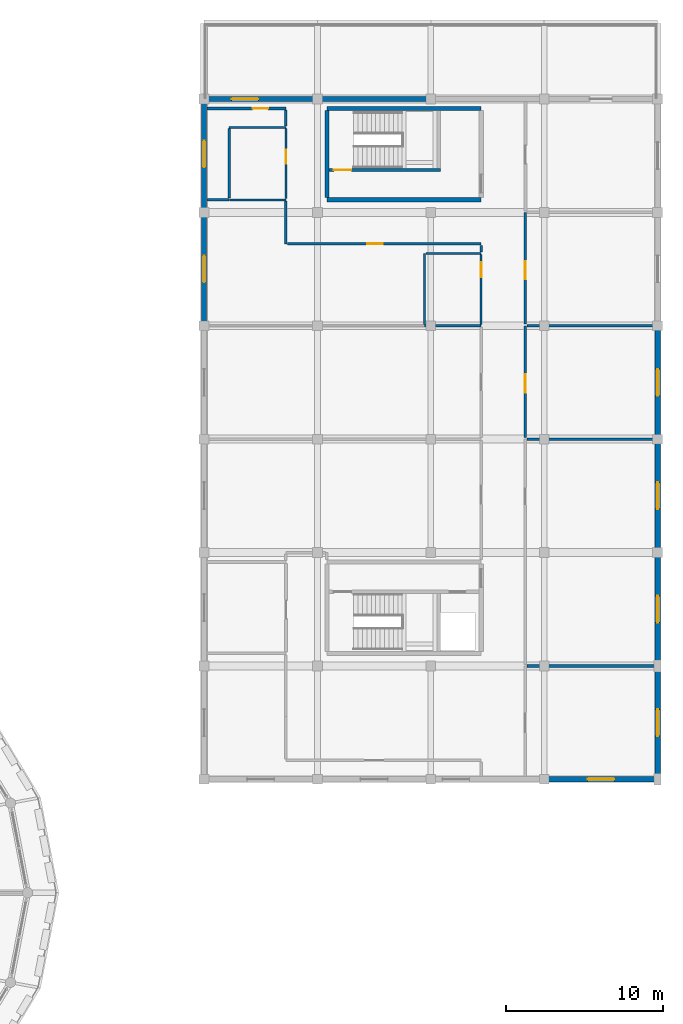
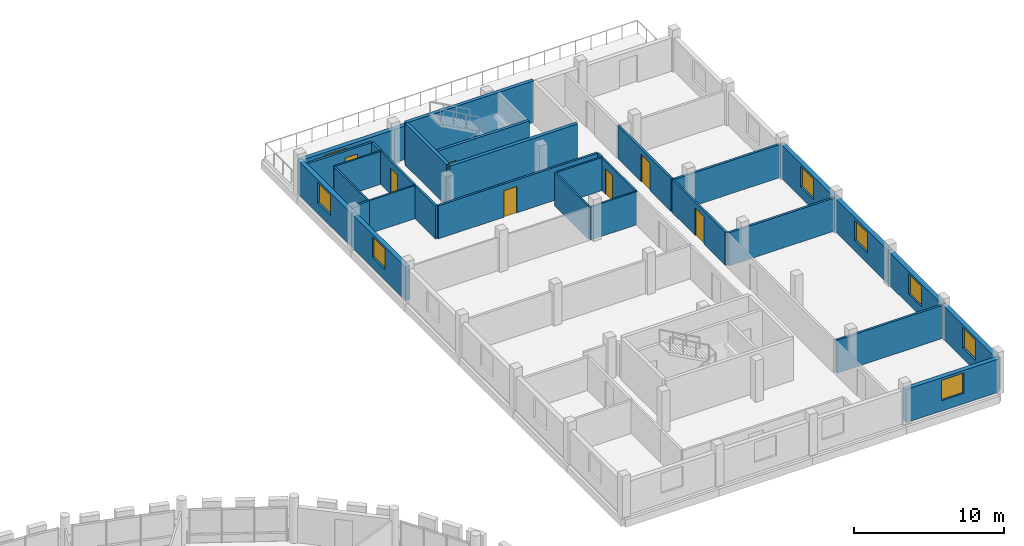
# One storey, part 76 of 84: 32 walls, 8 windows, 7 doors, 15 openings.
"""IFC4 building model written with IfcOpenShell, lengths in metres."""

from ifc_helpers import new_model, si_unit, direction, frame, frame_2d, origin, place, context, subcontext, project, spatial, rectangle, extrude, material, layer, layer_set, type_object, element, fill, save


model = new_model("IFC4")

# Units and contexts
model_context = context("Model", 3, precision=1e-05, world=origin(), true_north=direction((0.0, 1.0)))
body_context = subcontext(model_context, "Body", "Model", "MODEL_VIEW")
ifc_project = project(units=[si_unit("LENGTHUNIT", "METRE"), si_unit("AREAUNIT", "SQUARE_METRE"), si_unit("VOLUMEUNIT", "CUBIC_METRE"), si_unit("PLANEANGLEUNIT", "RADIAN"), si_unit("MASSUNIT", "GRAM", prefix="KILO")], contexts=[model_context])

# Site, building, storey
site_placement = place(None, origin())
site = spatial("IfcSite", under=ifc_project, at=site_placement, CompositionType="ELEMENT")
building_placement = place(site_placement, origin())
building = spatial("IfcBuilding", under=site, at=building_placement, Name="Zornivar Specialist Clinic", CompositionType="ELEMENT")
storey_placement = place(building_placement, frame((0.0, 0.0, 12.300048828125)))
storey = spatial("IfcBuildingStorey", under=building, at=storey_placement, Name="L03", CompositionType="ELEMENT", Elevation=12.300048828125)

# Wall, opening, window
ifc_material_1 = material(Name="Masonry Laboratory Terracotta and Stone Cavity Wall", Category="masonry")
ifc_layer_1 = layer(ifc_material_1, 0.340087890625)
ifc_layer_set_1 = layer_set([ifc_layer_1], Name="Masonry Laboratory Terracotta and Stone Cavity Wall")
wall_type_1 = type_object("IfcWallType", Name="EW-LAB-340", PredefinedType="SOLIDWALL", material=ifc_layer_set_1)
wall_1_placement = place(storey_placement, frame((158.39990234375, 64.800048828125, 0.0), z_axis=(0.0, 0.0, 1.0), x_axis=(1.0, 0.0, 0.0)))
wall_1 = element("IfcWall", 1, at=wall_1_placement, inside=storey, type_object=wall_type_1, Name="ew:V6:L03:03", PredefinedType="SOLIDWALL", context=body_context, shape_type="SweptSolid", body=[
    extrude(rectangle(XDim=7.2001953125, YDim=0.340087890625, at=frame_2d((3.60009765625, 0.0))), origin(), (0.0, 0.0, 1.0), 2.7099609375),
])
opening_1_placement = place(wall_1_placement, frame((2.75, 0.0, 0.85009765625)))
opening_1 = element("IfcOpeningElement", 2, at=opening_1_placement, cuts=wall_1, Name="Opening W-21", PredefinedType="OPENING", context=body_context, shape_type="SweptSolid", body=[
    extrude(rectangle(XDim=1.699951171875, YDim=1.64990234375, at=frame_2d((0.85009765625, 0.824951171875))), frame((0.0, 0.179931640625, 0.0), z_axis=(0.0, -1.0, 0.0), x_axis=(1.0, 0.0, 0.0)), (0.0, 0.0, 1.0), 0.360107421875),
])
ifc_material_2 = material(Name="Triple-Glazed Aluminium-Timber Window Glass", Category="wood")
window_type = type_object("IfcWindowType", Name="WIN-LAB-UPPER-1700x1650", PartitioningType="SINGLE_PANEL", PredefinedType="WINDOW", material=ifc_material_2)
window_1_placement = place(opening_1_placement, origin())
window_1 = element("IfcWindow", 3, at=window_1_placement, inside=storey, type_object=window_type, Name="win:V6:L03:03", OverallHeight=1.64990234375, OverallWidth=1.699951171875, PartitioningType="SINGLE_PANEL", PredefinedType="WINDOW", context=body_context, shape_type="SweptSolid", body=[
    extrude(rectangle(XDim=1.699951171875, YDim=1.64990234375, at=frame_2d((0.85009765625, 0.824951171875))), frame((0.0, 0.030029296875, 0.0), z_axis=(0.0, -1.0, 0.0), x_axis=(1.0, 0.0, 0.0)), (0.0, 0.0, 1.0), 0.06005859375),
])
fill(opening_1, window_1)

wall_2_placement = place(storey_placement, frame((165.60009765625, 64.800048828125, 0.0), z_axis=(0.0, 0.0, 1.0), x_axis=(0.0, 1.0, 0.0)))
wall_2 = element("IfcWall", 4, at=wall_2_placement, inside=storey, type_object=wall_type_1, Name="ew:V6:L03:04", PredefinedType="SOLIDWALL", context=body_context, shape_type="SweptSolid", body=[
    extrude(rectangle(XDim=7.199951171875, YDim=0.340087890625, at=frame_2d((3.60009765625, 0.0))), origin(), (0.0, 0.0, 1.0), 2.7099609375),
])
opening_2_placement = place(wall_2_placement, frame((2.75, 0.0, 0.85009765625)))
opening_2 = element("IfcOpeningElement", 5, at=opening_2_placement, cuts=wall_2, Name="Opening W-21", PredefinedType="OPENING", context=body_context, shape_type="SweptSolid", body=[
    extrude(rectangle(XDim=1.699951171875, YDim=1.64990234375, at=frame_2d((0.85009765625, 0.824951171875))), frame((0.0, 0.179931640625, 0.0), z_axis=(0.0, -1.0, 0.0), x_axis=(1.0, 0.0, 0.0)), (0.0, 0.0, 1.0), 0.360107421875),
])
window_2_placement = place(opening_2_placement, origin())
window_2 = element("IfcWindow", 6, at=window_2_placement, inside=storey, type_object=window_type, Name="win:V6:L03:04", OverallHeight=1.64990234375, OverallWidth=1.699951171875, PartitioningType="SINGLE_PANEL", PredefinedType="WINDOW", context=body_context, shape_type="SweptSolid", body=[
    extrude(rectangle(XDim=1.699951171875, YDim=1.64990234375, at=frame_2d((0.85009765625, 0.824951171875))), frame((0.0, 0.030029296875, 0.0), z_axis=(0.0, -1.0, 0.0), x_axis=(1.0, 0.0, 0.0)), (0.0, 0.0, 1.0), 0.06005859375),
])
fill(opening_2, window_2)

wall_3_placement = place(storey_placement, frame((165.60009765625, 72.0, 0.0), z_axis=(0.0, 0.0, 1.0), x_axis=(0.0, 1.0, 0.0)))
wall_3 = element("IfcWall", 7, at=wall_3_placement, inside=storey, type_object=wall_type_1, Name="ew:V6:L03:05", PredefinedType="SOLIDWALL", context=body_context, shape_type="SweptSolid", body=[
    extrude(rectangle(XDim=7.199951171875, YDim=0.340087890625, at=frame_2d((3.60009765625, 0.0))), origin(), (0.0, 0.0, 1.0), 2.7099609375),
])
opening_3_placement = place(wall_3_placement, frame((2.75, 0.0, 0.85009765625)))
opening_3 = element("IfcOpeningElement", 8, at=opening_3_placement, cuts=wall_3, Name="Opening W-21", PredefinedType="OPENING", context=body_context, shape_type="SweptSolid", body=[
    extrude(rectangle(XDim=1.699951171875, YDim=1.64990234375, at=frame_2d((0.85009765625, 0.824951171875))), frame((0.0, 0.179931640625, 0.0), z_axis=(0.0, -1.0, 0.0), x_axis=(1.0, 0.0, 0.0)), (0.0, 0.0, 1.0), 0.360107421875),
])
window_3_placement = place(opening_3_placement, origin())
window_3 = element("IfcWindow", 9, at=window_3_placement, inside=storey, type_object=window_type, Name="win:V6:L03:05", OverallHeight=1.64990234375, OverallWidth=1.699951171875, PartitioningType="SINGLE_PANEL", PredefinedType="WINDOW", context=body_context, shape_type="SweptSolid", body=[
    extrude(rectangle(XDim=1.699951171875, YDim=1.64990234375, at=frame_2d((0.85009765625, 0.824951171875))), frame((0.0, 0.030029296875, 0.0), z_axis=(0.0, -1.0, 0.0), x_axis=(1.0, 0.0, 0.0)), (0.0, 0.0, 1.0), 0.06005859375),
])
fill(opening_3, window_3)

wall_4_placement = place(storey_placement, frame((165.60009765625, 79.199951171875, 0.0), z_axis=(0.0, 0.0, 1.0), x_axis=(0.0, 1.0, 0.0)))
wall_4 = element("IfcWall", 10, at=wall_4_placement, inside=storey, type_object=wall_type_1, Name="ew:V6:L03:06", PredefinedType="SOLIDWALL", context=body_context, shape_type="SweptSolid", body=[
    extrude(rectangle(XDim=7.199951171875, YDim=0.340087890625, at=frame_2d((3.60009765625, 0.0))), origin(), (0.0, 0.0, 1.0), 2.7099609375),
])
opening_4_placement = place(wall_4_placement, frame((2.75, 0.0, 0.85009765625)))
opening_4 = element("IfcOpeningElement", 11, at=opening_4_placement, cuts=wall_4, Name="Opening W-21", PredefinedType="OPENING", context=body_context, shape_type="SweptSolid", body=[
    extrude(rectangle(XDim=1.699951171875, YDim=1.64990234375, at=frame_2d((0.85009765625, 0.824951171875))), frame((0.0, 0.179931640625, 0.0), z_axis=(0.0, -1.0, 0.0), x_axis=(1.0, 0.0, 0.0)), (0.0, 0.0, 1.0), 0.360107421875),
])
window_4_placement = place(opening_4_placement, origin())
window_4 = element("IfcWindow", 12, at=window_4_placement, inside=storey, type_object=window_type, Name="win:V6:L03:06", OverallHeight=1.64990234375, OverallWidth=1.699951171875, PartitioningType="SINGLE_PANEL", PredefinedType="WINDOW", context=body_context, shape_type="SweptSolid", body=[
    extrude(rectangle(XDim=1.699951171875, YDim=1.64990234375, at=frame_2d((0.85009765625, 0.824951171875))), frame((0.0, 0.030029296875, 0.0), z_axis=(0.0, -1.0, 0.0), x_axis=(1.0, 0.0, 0.0)), (0.0, 0.0, 1.0), 0.06005859375),
])
fill(opening_4, window_4)

wall_5_placement = place(storey_placement, frame((165.60009765625, 86.39990234375, 0.0), z_axis=(0.0, 0.0, 1.0), x_axis=(0.0, 1.0, 0.0)))
wall_5 = element("IfcWall", 13, at=wall_5_placement, inside=storey, type_object=wall_type_1, Name="ew:V6:L03:07", PredefinedType="SOLIDWALL", context=body_context, shape_type="SweptSolid", body=[
    extrude(rectangle(XDim=7.2001953125, YDim=0.340087890625, at=frame_2d((3.60009765625, 0.0))), origin(), (0.0, 0.0, 1.0), 2.7099609375),
])
opening_5_placement = place(wall_5_placement, frame((2.75, 0.0, 0.85009765625)))
opening_5 = element("IfcOpeningElement", 14, at=opening_5_placement, cuts=wall_5, Name="Opening W-21", PredefinedType="OPENING", context=body_context, shape_type="SweptSolid", body=[
    extrude(rectangle(XDim=1.699951171875, YDim=1.64990234375, at=frame_2d((0.85009765625, 0.824951171875))), frame((0.0, 0.179931640625, 0.0), z_axis=(0.0, -1.0, 0.0), x_axis=(1.0, 0.0, 0.0)), (0.0, 0.0, 1.0), 0.360107421875),
])
window_5_placement = place(opening_5_placement, origin())
window_5 = element("IfcWindow", 15, at=window_5_placement, inside=storey, type_object=window_type, Name="win:V6:L03:07", OverallHeight=1.64990234375, OverallWidth=1.699951171875, PartitioningType="SINGLE_PANEL", PredefinedType="WINDOW", context=body_context, shape_type="SweptSolid", body=[
    extrude(rectangle(XDim=1.699951171875, YDim=1.64990234375, at=frame_2d((0.85009765625, 0.824951171875))), frame((0.0, 0.030029296875, 0.0), z_axis=(0.0, -1.0, 0.0), x_axis=(1.0, 0.0, 0.0)), (0.0, 0.0, 1.0), 0.06005859375),
])
fill(opening_5, window_5)

# Wall
wall_6_placement = place(storey_placement, frame((151.199951171875, 108.0, 0.0), z_axis=(0.0, 0.0, 1.0), x_axis=(-1.0, 0.0, 0.0)))
element("IfcWall", 16, at=wall_6_placement, inside=storey, type_object=wall_type_1, Name="ew:V6:L03:12", PredefinedType="SOLIDWALL", context=body_context, shape_type="SweptSolid", body=[
    extrude(rectangle(XDim=7.199951171875, YDim=0.340087890625, at=frame_2d((3.60009765625, 0.0))), origin(), (0.0, 0.0, 1.0), 2.7099609375),
])

# Wall, opening, window
wall_7_placement = place(storey_placement, frame((144.0, 108.0, 0.0), z_axis=(0.0, 0.0, 1.0), x_axis=(-1.0, 0.0, 0.0)))
wall_7 = element("IfcWall", 17, at=wall_7_placement, inside=storey, type_object=wall_type_1, Name="ew:V6:L03:13", PredefinedType="SOLIDWALL", context=body_context, shape_type="SweptSolid", body=[
    extrude(rectangle(XDim=7.199951171875, YDim=0.340087890625, at=frame_2d((3.60009765625, 0.0))), origin(), (0.0, 0.0, 1.0), 2.7099609375),
])
opening_6_placement = place(wall_7_placement, frame((3.75, 0.0, 0.85009765625)))
opening_6 = element("IfcOpeningElement", 18, at=opening_6_placement, cuts=wall_7, Name="Opening W-21", PredefinedType="OPENING", context=body_context, shape_type="SweptSolid", body=[
    extrude(rectangle(XDim=1.699951171875, YDim=1.64990234375, at=frame_2d((0.85009765625, 0.824951171875))), frame((0.0, 0.179931640625, 0.0), z_axis=(0.0, -1.0, 0.0), x_axis=(1.0, 0.0, 0.0)), (0.0, 0.0, 1.0), 0.360107421875),
])
window_6_placement = place(opening_6_placement, origin())
window_6 = element("IfcWindow", 19, at=window_6_placement, inside=storey, type_object=window_type, Name="win:V6:L03:13", OverallHeight=1.64990234375, OverallWidth=1.699951171875, PartitioningType="SINGLE_PANEL", PredefinedType="WINDOW", context=body_context, shape_type="SweptSolid", body=[
    extrude(rectangle(XDim=1.699951171875, YDim=1.64990234375, at=frame_2d((0.85009765625, 0.824951171875))), frame((0.0, 0.030029296875, 0.0), z_axis=(0.0, -1.0, 0.0), x_axis=(1.0, 0.0, 0.0)), (0.0, 0.0, 1.0), 0.06005859375),
])
fill(opening_6, window_6)

wall_8_placement = place(storey_placement, frame((136.800048828125, 108.0, 0.0), z_axis=(0.0, 0.0, 1.0), x_axis=(0.0, -1.0, 0.0)))
wall_8 = element("IfcWall", 20, at=wall_8_placement, inside=storey, type_object=wall_type_1, Name="ew:V6:L03:14", PredefinedType="SOLIDWALL", context=body_context, shape_type="SweptSolid", body=[
    extrude(rectangle(XDim=7.199951171875, YDim=0.340087890625, at=frame_2d((3.60009765625, 0.0))), origin(), (0.0, 0.0, 1.0), 2.7099609375),
])
opening_7_placement = place(wall_8_placement, frame((2.64990234375, 0.0, 0.85009765625)))
opening_7 = element("IfcOpeningElement", 21, at=opening_7_placement, cuts=wall_8, Name="Opening W-21", PredefinedType="OPENING", context=body_context, shape_type="SweptSolid", body=[
    extrude(rectangle(XDim=1.699951171875, YDim=1.64990234375, at=frame_2d((0.85009765625, 0.824951171875))), frame((0.0, 0.179931640625, 0.0), z_axis=(0.0, -1.0, 0.0), x_axis=(1.0, 0.0, 0.0)), (0.0, 0.0, 1.0), 0.360107421875),
])
window_7_placement = place(opening_7_placement, origin())
window_7 = element("IfcWindow", 22, at=window_7_placement, inside=storey, type_object=window_type, Name="win:V6:L03:14", OverallHeight=1.64990234375, OverallWidth=1.699951171875, PartitioningType="SINGLE_PANEL", PredefinedType="WINDOW", context=body_context, shape_type="SweptSolid", body=[
    extrude(rectangle(XDim=1.699951171875, YDim=1.64990234375, at=frame_2d((0.85009765625, 0.824951171875))), frame((0.0, 0.030029296875, 0.0), z_axis=(0.0, -1.0, 0.0), x_axis=(1.0, 0.0, 0.0)), (0.0, 0.0, 1.0), 0.06005859375),
])
fill(opening_7, window_7)

wall_9_placement = place(storey_placement, frame((136.800048828125, 100.800048828125, 0.0), z_axis=(0.0, 0.0, 1.0), x_axis=(0.0, -1.0, 0.0)))
wall_9 = element("IfcWall", 23, at=wall_9_placement, inside=storey, type_object=wall_type_1, Name="ew:V6:L03:15", PredefinedType="SOLIDWALL", context=body_context, shape_type="SweptSolid", body=[
    extrude(rectangle(XDim=7.199951171875, YDim=0.340087890625, at=frame_2d((3.60009765625, 0.0))), origin(), (0.0, 0.0, 1.0), 2.7099609375),
])
opening_8_placement = place(wall_9_placement, frame((2.75, 0.0, 0.85009765625)))
opening_8 = element("IfcOpeningElement", 24, at=opening_8_placement, cuts=wall_9, Name="Opening W-21", PredefinedType="OPENING", context=body_context, shape_type="SweptSolid", body=[
    extrude(rectangle(XDim=1.699951171875, YDim=1.64990234375, at=frame_2d((0.85009765625, 0.824951171875))), frame((0.0, 0.179931640625, 0.0), z_axis=(0.0, -1.0, 0.0), x_axis=(1.0, 0.0, 0.0)), (0.0, 0.0, 1.0), 0.360107421875),
])
window_8_placement = place(opening_8_placement, origin())
window_8 = element("IfcWindow", 25, at=window_8_placement, inside=storey, type_object=window_type, Name="win:V6:L03:15", OverallHeight=1.64990234375, OverallWidth=1.699951171875, PartitioningType="SINGLE_PANEL", PredefinedType="WINDOW", context=body_context, shape_type="SweptSolid", body=[
    extrude(rectangle(XDim=1.699951171875, YDim=1.64990234375, at=frame_2d((0.85009765625, 0.824951171875))), frame((0.0, 0.030029296875, 0.0), z_axis=(0.0, -1.0, 0.0), x_axis=(1.0, 0.0, 0.0)), (0.0, 0.0, 1.0), 0.06005859375),
])
fill(opening_8, window_8)

# Wall
ifc_material_3 = material(Name="Gypsum Fire-Rated Double Stud Partition")
ifc_layer_2 = layer(ifc_material_3, 0.159912109375)
ifc_layer_set_2 = layer_set([ifc_layer_2], Name="Gypsum Fire-Rated Double Stud Partition")
wall_type_2 = type_object("IfcWallType", Name="IW-CORR-EI60-160", PredefinedType="PARTITIONING", material=ifc_layer_set_2)
wall_10_placement = place(storey_placement, frame((142.0, 101.52099609375, 0.0), z_axis=(0.0, 0.0, 1.0), x_axis=(0.0, -1.0, 0.0)))
element("IfcWall", 26, at=wall_10_placement, inside=storey, type_object=wall_type_2, Name="iw:L03:114", PredefinedType="PARTITIONING", context=body_context, shape_type="SweptSolid", body=[
    extrude(rectangle(XDim=2.720947265625, YDim=0.159912109375, at=frame_2d((1.3603515625, 0.0))), origin(), (0.0, 0.0, 1.0), 2.68994140625),
])

# Wall, opening, door
wall_11_placement = place(storey_placement, frame((142.093994140625, 98.800048828125, 0.0), z_axis=(0.0, 0.0, 1.0), x_axis=(1.0, 0.0, 0.0)))
wall_11 = element("IfcWall", 27, at=wall_11_placement, inside=storey, type_object=wall_type_2, Name="iw:L03:115", PredefinedType="PARTITIONING", context=body_context, shape_type="SweptSolid", body=[
    extrude(rectangle(XDim=12.305908203125, YDim=0.159912109375, at=frame_2d((6.15283203125, 0.0))), origin(), (0.0, 0.0, 1.0), 2.68994140625),
])
opening_9_placement = place(wall_11_placement, frame((5.06005859375, 0.0, 0.0)))
opening_9 = element("IfcOpeningElement", 28, at=opening_9_placement, cuts=wall_11, Name="Opening ID-09", PredefinedType="OPENING", context=body_context, shape_type="SweptSolid", body=[
    extrude(rectangle(XDim=0.97998046875, YDim=2.14990234375, at=frame_2d((0.489990234375, 1.074951171875))), frame((0.0, 0.08984375, 0.0), z_axis=(0.0, -1.0, 0.0), x_axis=(1.0, 0.0, 0.0)), (0.0, 0.0, 1.0), 0.179931640625),
])
ifc_material_4 = material(Name="Solid-Core Hygienic Laminate Timber Door", Category="wood")
door_type_1 = type_object("IfcDoorType", Name="ID-STAFF-0980x2150", OperationType="NOTDEFINED", PredefinedType="DOOR", material=ifc_material_4)
door_1_placement = place(opening_9_placement, origin())
door_1 = element("IfcDoor", 29, at=door_1_placement, inside=storey, type_object=door_type_1, Name="door:space:V6:L03:rm:04b", OperationType="SINGLE_SWING_RIGHT", OverallHeight=2.14990234375, OverallWidth=0.97998046875, PredefinedType="DOOR", context=body_context, shape_type="SweptSolid", body=[
    extrude(rectangle(XDim=0.97998046875, YDim=2.14990234375, at=frame_2d((0.489990234375, 1.074951171875))), frame((0.0, 0.02490234375, 0.0), z_axis=(0.0, -1.0, 0.0), x_axis=(1.0, 0.0, 0.0)), (0.0, 0.0, 1.0), 0.050048828125),
])
fill(opening_9, door_1)

# Walls
wall_12_placement = place(storey_placement, frame((154.39990234375, 98.7060546875, 0.0), z_axis=(0.0, 0.0, 1.0), x_axis=(0.0, -1.0, 0.0)))
element("IfcWall", 30, at=wall_12_placement, inside=storey, type_object=wall_type_2, Name="iw:L03:116", PredefinedType="PARTITIONING", context=body_context, shape_type="SweptSolid", body=[
    extrude(rectangle(XDim=0.427001953125, YDim=0.159912109375, at=frame_2d((0.21337890625, 0.0))), origin(), (0.0, 0.0, 1.0), 2.68994140625),
])
wall_13_placement = place(storey_placement, frame((142.0, 107.301025390625, 0.0), z_axis=(0.0, 0.0, 1.0), x_axis=(0.0, -1.0, 0.0)))
element("IfcWall", 31, at=wall_13_placement, inside=storey, type_object=wall_type_2, Name="iw:L03:121", PredefinedType="PARTITIONING", context=body_context, shape_type="SweptSolid", body=[
    extrude(rectangle(XDim=1.02197265625, YDim=0.159912109375, at=frame_2d((0.510986328125, 0.0))), origin(), (0.0, 0.0, 1.0), 2.68994140625),
])

# Wall, opening, door
wall_14_placement = place(storey_placement, frame((157.199951171875, 86.4990234375, 0.0), z_axis=(0.0, 0.0, 1.0), x_axis=(0.0, 1.0, 0.0)))
wall_14 = element("IfcWall", 32, at=wall_14_placement, inside=storey, type_object=wall_type_2, Name="iw:L03:126", PredefinedType="PARTITIONING", context=body_context, shape_type="SweptSolid", body=[
    extrude(rectangle(XDim=7.10107421875, YDim=0.159912109375, at=frame_2d((3.550537109375, 0.0))), origin(), (0.0, 0.0, 1.0), 2.68994140625),
])
opening_10_placement = place(wall_14_placement, frame((2.85693359375, 0.0, 0.0)))
opening_10 = element("IfcOpeningElement", 33, at=opening_10_placement, cuts=wall_14, Name="Opening ID-06", PredefinedType="OPENING", context=body_context, shape_type="SweptSolid", body=[
    extrude(rectangle(XDim=1.14990234375, YDim=2.25, at=frame_2d((0.574951171875, 1.125))), frame((0.0, 0.08984375, 0.0), z_axis=(0.0, -1.0, 0.0), x_axis=(1.0, 0.0, 0.0)), (0.0, 0.0, 1.0), 0.179931640625),
])
ifc_material_5 = material(Name="Solid-Core Hygienic Laminate Timber Door", Category="wood")
door_type_2 = type_object("IfcDoorType", Name="ID-LAB-1150x2250", OperationType="NOTDEFINED", PredefinedType="DOOR", material=ifc_material_5)
door_2_placement = place(opening_10_placement, origin())
door_2 = element("IfcDoor", 34, at=door_2_placement, inside=storey, type_object=door_type_2, Name="door:space:V6:L03:rm:10", OperationType="SINGLE_SWING_LEFT", OverallHeight=2.25, OverallWidth=1.14990234375, PredefinedType="DOOR", context=body_context, shape_type="SweptSolid", body=[
    extrude(rectangle(XDim=1.14990234375, YDim=2.25, at=frame_2d((0.574951171875, 1.125))), frame((0.0, 0.02490234375, 0.0), z_axis=(0.0, -1.0, 0.0), x_axis=(1.0, 0.0, 0.0)), (0.0, 0.0, 1.0), 0.050048828125),
])
fill(opening_10, door_2)

wall_15_placement = place(storey_placement, frame((157.199951171875, 93.698974609375, 0.0), z_axis=(0.0, 0.0, 1.0), x_axis=(0.0, 1.0, 0.0)))
wall_15 = element("IfcWall", 35, at=wall_15_placement, inside=storey, type_object=wall_type_2, Name="iw:L03:128", PredefinedType="PARTITIONING", context=body_context, shape_type="SweptSolid", body=[
    extrude(rectangle(XDim=7.10107421875, YDim=0.159912109375, at=frame_2d((3.550537109375, 0.0))), origin(), (0.0, 0.0, 1.0), 2.68994140625),
])
opening_11_placement = place(wall_15_placement, frame((2.85693359375, 0.0, 0.0)))
opening_11 = element("IfcOpeningElement", 36, at=opening_11_placement, cuts=wall_15, Name="Opening ID-06", PredefinedType="OPENING", context=body_context, shape_type="SweptSolid", body=[
    extrude(rectangle(XDim=1.14990234375, YDim=2.25, at=frame_2d((0.574951171875, 1.125))), frame((0.0, 0.08984375, 0.0), z_axis=(0.0, -1.0, 0.0), x_axis=(1.0, 0.0, 0.0)), (0.0, 0.0, 1.0), 0.179931640625),
])
door_3_placement = place(opening_11_placement, origin())
door_3 = element("IfcDoor", 37, at=door_3_placement, inside=storey, type_object=door_type_2, Name="door:space:V6:L03:rm:11", OperationType="SINGLE_SWING_RIGHT", OverallHeight=2.25, OverallWidth=1.14990234375, PredefinedType="DOOR", context=body_context, shape_type="SweptSolid", body=[
    extrude(rectangle(XDim=1.14990234375, YDim=2.25, at=frame_2d((0.574951171875, 1.125))), frame((0.0, 0.02490234375, 0.0), z_axis=(0.0, -1.0, 0.0), x_axis=(1.0, 0.0, 0.0)), (0.0, 0.0, 1.0), 0.050048828125),
])
fill(opening_11, door_3)

# Wall
ifc_material_6 = material(Name="Laboratory Chemical-Resistant Stud Partition")
ifc_layer_3 = layer(ifc_material_6, 0.169921875)
ifc_layer_set_3 = layer_set([ifc_layer_3], Name="Laboratory Chemical-Resistant Stud Partition")
wall_type_3 = type_object("IfcWallType", Name="IW-LAB-EI60-170", PredefinedType="PARTITIONING", material=ifc_layer_set_3)
wall_16_placement = place(storey_placement, frame((136.985107421875, 101.60009765625, 0.0), z_axis=(0.0, 0.0, 1.0), x_axis=(1.0, 0.0, 0.0)))
element("IfcWall", 38, at=wall_16_placement, inside=storey, type_object=wall_type_3, Name="iw:L03:112", PredefinedType="PARTITIONING", context=body_context, shape_type="SweptSolid", body=[
    extrude(rectangle(XDim=1.414794921875, YDim=0.169921875, at=frame_2d((0.70751953125, 0.0))), origin(), (0.0, 0.0, 1.0), 2.68994140625),
])

# Wall, opening, door
wall_17_placement = place(storey_placement, frame((136.985107421875, 107.39990234375, 0.0), z_axis=(0.0, 0.0, 1.0), x_axis=(1.0, 0.0, 0.0)))
wall_17 = element("IfcWall", 39, at=wall_17_placement, inside=storey, type_object=wall_type_3, Name="iw:L03:120", PredefinedType="PARTITIONING", context=body_context, shape_type="SweptSolid", body=[
    extrude(rectangle(XDim=5.014892578125, YDim=0.169921875, at=frame_2d((2.50732421875, 0.0))), origin(), (0.0, 0.0, 1.0), 2.68994140625),
])
opening_12_placement = place(wall_17_placement, frame((2.89599609375, 0.0, 0.0)))
opening_12 = element("IfcOpeningElement", 40, at=opening_12_placement, cuts=wall_17, Name="Opening ID-09", PredefinedType="OPENING", context=body_context, shape_type="SweptSolid", body=[
    extrude(rectangle(XDim=0.97998046875, YDim=2.14990234375, at=frame_2d((0.489990234375, 1.074951171875))), frame((0.0, 0.094970703125, 0.0), z_axis=(0.0, -1.0, 0.0), x_axis=(1.0, 0.0, 0.0)), (0.0, 0.0, 1.0), 0.18994140625),
])
door_4_placement = place(opening_12_placement, origin())
door_4 = element("IfcDoor", 41, at=door_4_placement, inside=storey, type_object=door_type_1, Name="door:space:V6:L03:rm:06b", OperationType="SINGLE_SWING_RIGHT", OverallHeight=2.14990234375, OverallWidth=0.97998046875, PredefinedType="DOOR", context=body_context, shape_type="SweptSolid", body=[
    extrude(rectangle(XDim=0.97998046875, YDim=2.14990234375, at=frame_2d((0.489990234375, 1.074951171875))), frame((0.0, 0.02490234375, 0.0), z_axis=(0.0, -1.0, 0.0), x_axis=(1.0, 0.0, 0.0)), (0.0, 0.0, 1.0), 0.050048828125),
])
fill(opening_12, door_4)

# Walls
for number, where, z_axis, x_axis, name in (
    (42, (157.2939453125, 72.0, 0.0), (0.0, 0.0, 1.0), (1.0, 0.0, 0.0), "iw:L03:123"),
    (43, (157.2939453125, 86.39990234375, 0.0), (0.0, 0.0, 1.0), (1.0, 0.0, 0.0), "iw:L03:125"),
    (44, (157.2939453125, 93.60009765625, 0.0), (0.0, 0.0, 1.0), (1.0, 0.0, 0.0), "iw:L03:127"),
):
    element("IfcWall", number, at=place(storey_placement, frame(where, z_axis=z_axis, x_axis=x_axis)), inside=storey, type_object=wall_type_3, Name=name, PredefinedType="PARTITIONING", context=body_context, shape_type="SweptSolid", body=[
        extrude(rectangle(XDim=8.12109375, YDim=0.169921875, at=frame_2d((4.060546875, 0.0))), origin(), (0.0, 0.0, 1.0), 2.68994140625),
    ])
ifc_material_7 = material(Name="Moisture-Resistant Sanitary Partition")
ifc_layer_4 = layer(ifc_material_7, 0.1298828125)
ifc_layer_set_4 = layer_set([ifc_layer_4], Name="Moisture-Resistant Sanitary Partition")
wall_type_4 = type_object("IfcWallType", Name="IW-WET-130", PredefinedType="PARTITIONING", material=ifc_layer_set_4)
wall_18_placement = place(storey_placement, frame((150.81201171875, 93.60009765625, 0.0), z_axis=(0.0, 0.0, 1.0), x_axis=(1.0, 0.0, 0.0)))
element("IfcWall", 45, at=wall_18_placement, inside=storey, type_object=wall_type_4, Name="iw:L03:107", PredefinedType="PARTITIONING", context=body_context, shape_type="SweptSolid", body=[
    extrude(rectangle(XDim=3.587890625, YDim=0.1298828125, at=frame_2d((1.7939453125, 0.0))), origin(), (0.0, 0.0, 1.0), 2.68994140625),
])
wall_19_placement = place(storey_placement, frame((150.800048828125, 93.678955078125, 0.0), z_axis=(0.0, 0.0, 1.0), x_axis=(0.0, 1.0, 0.0)))
element("IfcWall", 46, at=wall_19_placement, inside=storey, type_object=wall_type_4, Name="iw:L03:109", PredefinedType="PARTITIONING", context=body_context, shape_type="SweptSolid", body=[
    extrude(rectangle(XDim=4.52099609375, YDim=0.1298828125, at=frame_2d((2.260498046875, 0.0))), origin(), (0.0, 0.0, 1.0), 2.68994140625),
])
wall_20_placement = place(storey_placement, frame((150.87890625, 98.199951171875, 0.0), z_axis=(0.0, 0.0, 1.0), x_axis=(1.0, 0.0, 0.0)))
element("IfcWall", 47, at=wall_20_placement, inside=storey, type_object=wall_type_4, Name="iw:L03:110", PredefinedType="PARTITIONING", context=body_context, shape_type="SweptSolid", body=[
    extrude(rectangle(XDim=3.52099609375, YDim=0.1298828125, at=frame_2d((1.760498046875, 0.0))), origin(), (0.0, 0.0, 1.0), 2.68994140625),
])

# Wall, opening, door
wall_21_placement = place(storey_placement, frame((154.39990234375, 98.12109375, 0.0), z_axis=(0.0, 0.0, 1.0), x_axis=(0.0, -1.0, 0.0)))
wall_21 = element("IfcWall", 48, at=wall_21_placement, inside=storey, type_object=wall_type_4, Name="iw:L03:111", PredefinedType="PARTITIONING", context=body_context, shape_type="SweptSolid", body=[
    extrude(rectangle(XDim=4.442138671875, YDim=0.1298828125, at=frame_2d((2.22119140625, 0.0))), origin(), (0.0, 0.0, 1.0), 2.68994140625),
])
opening_13_placement = place(wall_21_placement, frame((0.47998046875, 0.0, 0.0)))
opening_13 = element("IfcOpeningElement", 49, at=opening_13_placement, cuts=wall_21, Name="Opening ID-07", PredefinedType="OPENING", context=body_context, shape_type="SweptSolid", body=[
    extrude(rectangle(XDim=0.949951171875, YDim=2.10009765625, at=frame_2d((0.47509765625, 1.050048828125))), frame((0.0, 0.074951171875, 0.0), z_axis=(0.0, -1.0, 0.0), x_axis=(1.0, 0.0, 0.0)), (0.0, 0.0, 1.0), 0.14990234375),
])
ifc_material_8 = material(Name="Solid-Core Hygienic Laminate Timber Door", Category="wood")
door_type_3 = type_object("IfcDoorType", Name="ID-WC-ACC-0950x2100", OperationType="NOTDEFINED", PredefinedType="DOOR", material=ifc_material_8)
door_5_placement = place(opening_13_placement, origin())
door_5 = element("IfcDoor", 50, at=door_5_placement, inside=storey, type_object=door_type_3, Name="door:space:V6:L03:rm:04", OperationType="SINGLE_SWING_LEFT", OverallHeight=2.10009765625, OverallWidth=0.949951171875, PredefinedType="DOOR", context=body_context, shape_type="SweptSolid", body=[
    extrude(rectangle(XDim=0.949951171875, YDim=2.10009765625, at=frame_2d((0.47509765625, 1.050048828125))), frame((0.0, 0.02490234375, 0.0), z_axis=(0.0, -1.0, 0.0), x_axis=(1.0, 0.0, 0.0)), (0.0, 0.0, 1.0), 0.050048828125),
])
fill(opening_13, door_5)

# Walls
wall_22_placement = place(storey_placement, frame((138.412109375, 101.60009765625, 0.0), z_axis=(0.0, 0.0, 1.0), x_axis=(1.0, 0.0, 0.0)))
element("IfcWall", 51, at=wall_22_placement, inside=storey, type_object=wall_type_4, Name="iw:L03:113", PredefinedType="PARTITIONING", context=body_context, shape_type="SweptSolid", body=[
    extrude(rectangle(XDim=3.587890625, YDim=0.1298828125, at=frame_2d((1.7939453125, 0.0))), origin(), (0.0, 0.0, 1.0), 2.68994140625),
])
wall_23_placement = place(storey_placement, frame((138.39990234375, 106.199951171875, 0.0), z_axis=(0.0, 0.0, 1.0), x_axis=(1.0, 0.0, 0.0)))
element("IfcWall", 52, at=wall_23_placement, inside=storey, type_object=wall_type_4, Name="iw:L03:117", PredefinedType="PARTITIONING", context=body_context, shape_type="SweptSolid", body=[
    extrude(rectangle(XDim=3.60009765625, YDim=0.1298828125, at=frame_2d((1.800048828125, 0.0))), origin(), (0.0, 0.0, 1.0), 2.68994140625),
])

# Wall, opening, door
wall_24_placement = place(storey_placement, frame((142.0, 106.12109375, 0.0), z_axis=(0.0, 0.0, 1.0), x_axis=(0.0, -1.0, 0.0)))
wall_24 = element("IfcWall", 53, at=wall_24_placement, inside=storey, type_object=wall_type_4, Name="iw:L03:118", PredefinedType="PARTITIONING", context=body_context, shape_type="SweptSolid", body=[
    extrude(rectangle(XDim=4.442138671875, YDim=0.1298828125, at=frame_2d((2.22119140625, 0.0))), origin(), (0.0, 0.0, 1.0), 2.68994140625),
])
opening_14_placement = place(wall_24_placement, frame((1.341064453125, 0.0, 0.0)))
opening_14 = element("IfcOpeningElement", 54, at=opening_14_placement, cuts=wall_24, Name="Opening ID-08", PredefinedType="OPENING", context=body_context, shape_type="SweptSolid", body=[
    extrude(rectangle(XDim=0.89990234375, YDim=2.10009765625, at=frame_2d((0.449951171875, 1.050048828125))), frame((0.0, 0.074951171875, 0.0), z_axis=(0.0, -1.0, 0.0), x_axis=(1.0, 0.0, 0.0)), (0.0, 0.0, 1.0), 0.14990234375),
])
ifc_material_9 = material(Name="Solid-Core Hygienic Laminate Timber Door", Category="wood")
door_type_4 = type_object("IfcDoorType", Name="ID-WC-STD-0900x2100", OperationType="NOTDEFINED", PredefinedType="DOOR", material=ifc_material_9)
door_6_placement = place(opening_14_placement, origin())
door_6 = element("IfcDoor", 55, at=door_6_placement, inside=storey, type_object=door_type_4, Name="door:space:V6:L03:rm:06", OperationType="SINGLE_SWING_LEFT", OverallHeight=2.10009765625, OverallWidth=0.89990234375, PredefinedType="DOOR", context=body_context, shape_type="SweptSolid", body=[
    extrude(rectangle(XDim=0.89990234375, YDim=2.10009765625, at=frame_2d((0.449951171875, 1.050048828125))), frame((0.0, 0.02490234375, 0.0), z_axis=(0.0, -1.0, 0.0), x_axis=(1.0, 0.0, 0.0)), (0.0, 0.0, 1.0), 0.050048828125),
])
fill(opening_14, door_6)

# Walls
wall_25_placement = place(storey_placement, frame((138.39990234375, 101.698974609375, 0.0), z_axis=(0.0, 0.0, 1.0), x_axis=(0.0, 1.0, 0.0)))
element("IfcWall", 56, at=wall_25_placement, inside=storey, type_object=wall_type_4, Name="iw:L03:119", PredefinedType="PARTITIONING", context=body_context, shape_type="SweptSolid", body=[
    extrude(rectangle(XDim=4.422119140625, YDim=0.1298828125, at=frame_2d((2.2109375, 0.0))), origin(), (0.0, 0.0, 1.0), 2.68994140625),
])
ifc_material_10 = material(Name="Concrete C35/45", Category="concrete")
ifc_layer_5 = layer(ifc_material_10, 0.260009765625)
ifc_layer_set_5 = layer_set([ifc_layer_5], Name="Concrete C35/45")
wall_type_5 = type_object("IfcWallType", Name="SW-CORE-260", PredefinedType="SHEAR", material=ifc_layer_set_5)
for number, where, z_axis, x_axis, name in (
    (57, (144.60009765625, 101.60009765625, 0.0), (0.0, 0.0, 1.0), (1.0, 0.0, 0.0), "sw:C10:L03:w0"),
    (58, (154.39990234375, 107.39990234375, 0.0), (0.0, 0.0, 1.0), (-1.0, 0.0, 0.0), "sw:C10:L03:w2"),
):
    element("IfcWall", number, at=place(storey_placement, frame(where, z_axis=z_axis, x_axis=x_axis)), inside=storey, type_object=wall_type_5, Name=name, PredefinedType="SHEAR", context=body_context, shape_type="SweptSolid", body=[
        extrude(rectangle(XDim=9.7998046875, YDim=0.260009765625, at=frame_2d((4.89990234375, 0.0))), origin(), (0.0, 0.0, 1.0), 3.3798828125),
    ])
wall_26_placement = place(storey_placement, frame((144.60009765625, 107.27001953125, 0.0), z_axis=(0.0, 0.0, 1.0), x_axis=(0.0, -1.0, 0.0)))
element("IfcWall", 59, at=wall_26_placement, inside=storey, type_object=wall_type_5, Name="sw:C10:L03:w3", PredefinedType="SHEAR", context=body_context, shape_type="SweptSolid", body=[
    extrude(rectangle(XDim=5.5400390625, YDim=0.260009765625, at=frame_2d((2.77001953125, 0.0))), origin(), (0.0, 0.0, 1.0), 3.3798828125),
])

# Wall, opening, door
ifc_material_11 = material(Name="Concrete C30/37", Category="concrete")
ifc_layer_6 = layer(ifc_material_11, 0.219970703125)
ifc_layer_set_6 = layer_set([ifc_layer_6], Name="Concrete C30/37")
wall_type_6 = type_object("IfcWallType", Name="SW-SHAFT-220", PredefinedType="SHEAR", material=ifc_layer_set_6)
wall_27_placement = place(storey_placement, frame((144.72998046875, 103.489990234375, 0.0), z_axis=(0.0, 0.0, 1.0), x_axis=(1.0, 0.0, 0.0)))
wall_27 = element("IfcWall", 60, at=wall_27_placement, inside=storey, type_object=wall_type_6, Name="sw:C10:L03:stwall", PredefinedType="SHEAR", context=body_context, shape_type="SweptSolid", body=[
    extrude(rectangle(XDim=7.070068359375, YDim=0.219970703125, at=frame_2d((3.53515625, 0.0))), origin(), (0.0, 0.0, 1.0), 3.3798828125),
])
opening_15_placement = place(wall_27_placement, frame((0.320068359375, 0.0, 0.0)))
opening_15 = element("IfcOpeningElement", 61, at=opening_15_placement, cuts=wall_27, Name="Opening FD-02", PredefinedType="OPENING", context=body_context, shape_type="SweptSolid", body=[
    extrude(rectangle(XDim=1.10009765625, YDim=2.14990234375, at=frame_2d((0.550048828125, 1.074951171875))), frame((0.0, 0.119873046875, 0.0), z_axis=(0.0, -1.0, 0.0), x_axis=(1.0, 0.0, 0.0)), (0.0, 0.0, 1.0), 0.239990234375),
])
ifc_material_12 = material(Name="Solid-Core Hygienic Laminate Timber Door", Category="wood")
door_type_5 = type_object("IfcDoorType", Name="FD-STAIR-1100x2150", OperationType="NOTDEFINED", PredefinedType="DOOR", material=ifc_material_12)
door_7_placement = place(opening_15_placement, origin())
door_7 = element("IfcDoor", 62, at=door_7_placement, inside=storey, type_object=door_type_5, Name="door:C10:L03:stair", OperationType="SINGLE_SWING_LEFT", OverallHeight=2.14990234375, OverallWidth=1.10009765625, PredefinedType="DOOR", context=body_context, shape_type="SweptSolid", body=[
    extrude(rectangle(XDim=1.10009765625, YDim=2.14990234375, at=frame_2d((0.550048828125, 1.074951171875))), frame((0.0, 0.02490234375, 0.0), z_axis=(0.0, -1.0, 0.0), x_axis=(1.0, 0.0, 0.0)), (0.0, 0.0, 1.0), 0.050048828125),
])
fill(opening_15, door_7)

save(model, "model.ifc")
